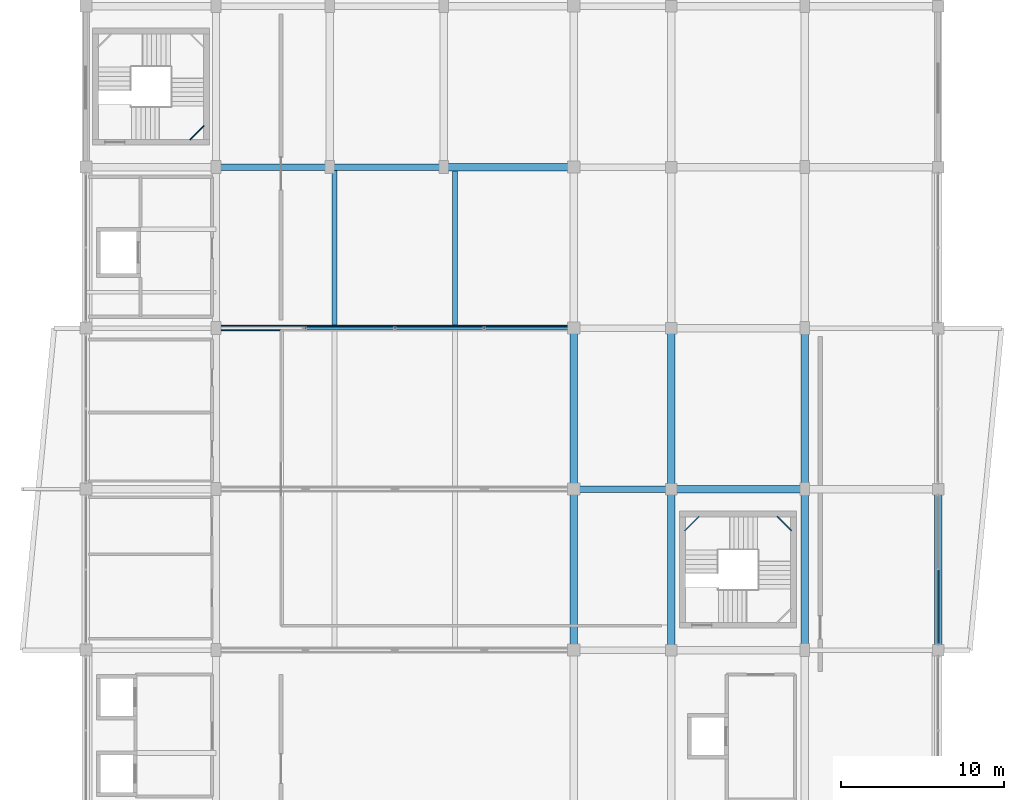
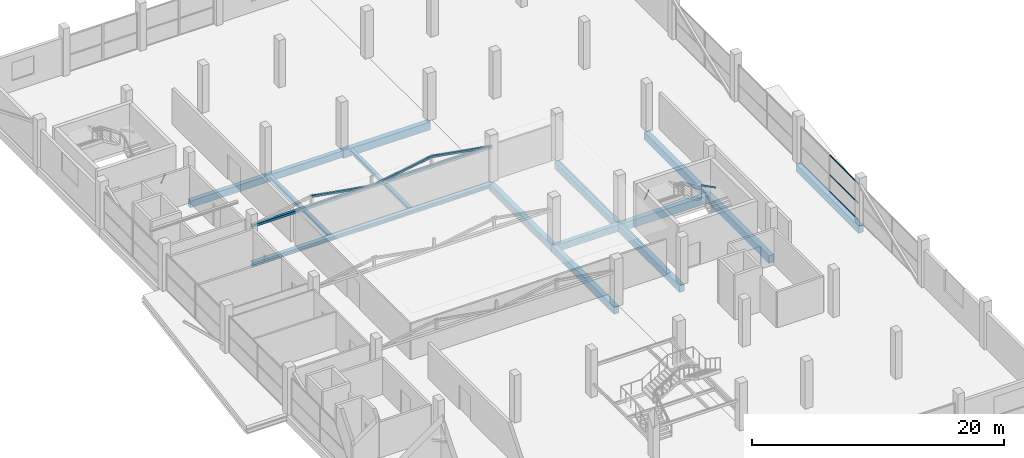
# One storey, part 24 of 58: 18 beams, 7 members, 1 element without a shape of its own.
"""IFC4 building model written with IfcOpenShell, lengths in metres."""

from ifc_helpers import new_model, si_unit, direction, frame, origin, origin_2d, place, context, subcontext, project, spatial, rectangle, hollow_rectangle, i_section, extrude, material, layer, layer_set, material_profile, profile_set, type_object, element, aggregate, save


model = new_model("IFC4")

# Units and contexts
model_context = context("Model", 3, precision=1e-05, world=origin(), true_north=direction((0.0, 1.0)))
body_context = subcontext(model_context, "Body", "Model", "MODEL_VIEW")
ifc_project = project(units=[si_unit("LENGTHUNIT", "METRE"), si_unit("AREAUNIT", "SQUARE_METRE"), si_unit("VOLUMEUNIT", "CUBIC_METRE"), si_unit("PLANEANGLEUNIT", "RADIAN"), si_unit("MASSUNIT", "GRAM", prefix="KILO")], contexts=[model_context])

# Site, building, storey
site_placement = place(None, origin())
site = spatial("IfcSite", under=ifc_project, at=site_placement, CompositionType="ELEMENT")
building_placement = place(site_placement, origin())
building = spatial("IfcBuilding", under=site, at=building_placement, Name="Sillaruma Civic Art Gallery", CompositionType="ELEMENT")
storey_placement = place(building_placement, frame((0.0, 0.0, 28.56005859375)))
storey = spatial("IfcBuildingStorey", under=building, at=storey_placement, Name="L05", CompositionType="ELEMENT", Elevation=28.56005859375)

# Beams
ifc_material_1 = material(Name="Concrete H35 (35 MPa)", Category="concrete")
ifc_material_profile_1 = material_profile(ifc_material_1, rectangle(XDim=0.39990234375, YDim=0.64990234375, at=origin_2d()), Name="RCB400x650")
ifc_profile_set_1 = profile_set([ifc_material_profile_1], Name="Concrete H35 (35 MPa)")
beam_type_1 = type_object("IfcBeamType", Name="BM-BEAM-RCB400x650", PredefinedType="BEAM", material=ifc_profile_set_1)
beam_1_placement = place(storey_placement, frame((92.0, 59.39990234375, -0.60498046875), z_axis=(1.0, 0.0, 0.0), x_axis=(0.0, 1.0, 0.0)))
element("IfcBeam", 1, at=beam_1_placement, inside=storey, type_object=beam_type_1, Name="Beam BM-05 (L04:7:K-L)", PredefinedType="BEAM", context=body_context, shape_type="SweptSolid", body=[
    extrude(rectangle(XDim=0.39990234375, YDim=0.64990234375, at=origin_2d()), origin(), (0.0, 0.0, 1.0), 6.0),
])
for number, where, z_axis, x_axis, name in (
    (2, (70.0, 79.199951171875, -0.60498046875), (1.0, 0.0, 0.0), (0.0, 1.0, 0.0), "Beam BM-05 (L04:9:G-H)"),
    (3, (77.0, 79.199951171875, -0.60498046875), (1.0, 0.0, 0.0), (0.0, 1.0, 0.0), "Beam BM-05 (L04:9:H-J)"),
):
    element("IfcBeam", number, at=place(storey_placement, frame(where, z_axis=z_axis, x_axis=x_axis)), inside=storey, type_object=beam_type_1, Name=name, PredefinedType="BEAM", context=body_context, shape_type="SweptSolid", body=[
        extrude(rectangle(XDim=0.39990234375, YDim=0.64990234375, at=origin_2d()), origin(), (0.0, 0.0, 1.0), 7.0),
    ])
ifc_material_2 = material(Name="Concrete H40 (40 MPa)", Category="concrete")
ifc_material_profile_2 = material_profile(ifc_material_2, rectangle(XDim=0.449951171875, YDim=0.75, at=origin_2d()), Name="RCB450x750")
ifc_profile_set_2 = profile_set([ifc_material_profile_2], Name="Concrete H40 (40 MPa)")
beam_type_2 = type_object("IfcBeamType", Name="BM-BEAM-RCB450x750", PredefinedType="BEAM", material=ifc_profile_set_2)
beam_2_placement = place(storey_placement, frame((98.0, 59.39990234375, -0.655029296875), z_axis=(1.0, 0.0, 0.0), x_axis=(0.0, 1.0, 0.0)))
element("IfcBeam", 4, at=beam_2_placement, inside=storey, type_object=beam_type_2, Name="Beam BM-03 (L04:7:L-M)", PredefinedType="BEAM", context=body_context, shape_type="SweptSolid", body=[
    extrude(rectangle(XDim=0.449951171875, YDim=0.75, at=origin_2d()), origin(), (0.0, 0.0, 1.0), 8.199951171875),
])
beam_3_placement = place(storey_placement, frame((84.0, 79.199951171875, -0.655029296875), z_axis=(1.0, 0.0, 0.0), x_axis=(0.0, 1.0, 0.0)))
element("IfcBeam", 5, at=beam_3_placement, inside=storey, type_object=beam_type_2, Name="Beam BM-03 (L04:9:J-K)", PredefinedType="BEAM", context=body_context, shape_type="SweptSolid", body=[
    extrude(rectangle(XDim=0.449951171875, YDim=0.75, at=origin_2d()), origin(), (0.0, 0.0, 1.0), 8.0),
])
beam_4_placement = place(storey_placement, frame((106.199951171875, 49.5, -0.655029296875), z_axis=(0.0, 1.0, 0.0), x_axis=(-1.0, 0.0, 0.0)))
element("IfcBeam", 6, at=beam_4_placement, inside=storey, type_object=beam_type_2, Name="Beam BM-03 (L04:M:6-7)", PredefinedType="BEAM", context=body_context, shape_type="SweptSolid", body=[
    extrude(rectangle(XDim=0.449951171875, YDim=0.75, at=origin_2d()), origin(), (0.0, 0.0, 1.0), 9.89990234375),
])
beam_5_placement = place(storey_placement, frame((106.199951171875, 59.39990234375, -0.655029296875), z_axis=(0.0, 1.0, 0.0), x_axis=(-1.0, 0.0, 0.0)))
element("IfcBeam", 7, at=beam_5_placement, inside=storey, type_object=beam_type_2, Name="Beam BM-03 (L04:M:7-8)", PredefinedType="BEAM", context=body_context, shape_type="SweptSolid", body=[
    extrude(rectangle(XDim=0.449951171875, YDim=0.75, at=origin_2d()), origin(), (0.0, 0.0, 1.0), 9.900146484375),
])
ifc_material_3 = material(Name="Structural Steel ASTM A992 Gr.50", Category="steel")
ifc_material_profile_3 = material_profile(ifc_material_3, i_section(OverallWidth=0.305908203125, OverallDepth=0.31103515625, WebThickness=0.010986328125, FlangeThickness=0.01708984375, FilletRadius=0.014892578125, at=origin_2d()), Name="W310x107")
ifc_profile_set_3 = profile_set([ifc_material_profile_3], Name="Structural Steel ASTM A992 Gr.50")
beam_type_3 = type_object("IfcBeamType", Name="BM-JOIST-W310x107", PredefinedType="JOIST", material=ifc_profile_set_3)
beam_6_placement = place(storey_placement, frame((77.300048828125, 69.487060546875, -0.435546875), z_axis=(0.0, 1.0, 0.0), x_axis=(-1.0, 0.0, 0.0)))
element("IfcBeam", 8, at=beam_6_placement, inside=storey, type_object=beam_type_3, Name="Long-Span Gallery Joist JS-03 (L04:8-9)", PredefinedType="JOIST", context=body_context, shape_type="SweptSolid", body=[
    extrude(i_section(OverallWidth=0.305908203125, OverallDepth=0.31103515625, WebThickness=0.010986328125, FlangeThickness=0.01708984375, FilletRadius=0.014892578125, at=origin_2d()), origin(), (0.0, 0.0, 1.0), 9.512939453125),
])
beam_7_placement = place(storey_placement, frame((84.699951171875, 69.487060546875, -0.435546875), z_axis=(0.0, 1.0, 0.0), x_axis=(-1.0, 0.0, 0.0)))
element("IfcBeam", 9, at=beam_7_placement, inside=storey, type_object=beam_type_3, Name="Long-Span Gallery Joist JS-03 (L04:8-9)", PredefinedType="JOIST", context=body_context, shape_type="SweptSolid", body=[
    extrude(i_section(OverallWidth=0.305908203125, OverallDepth=0.31103515625, WebThickness=0.010986328125, FlangeThickness=0.01708984375, FilletRadius=0.014892578125, at=origin_2d()), origin(), (0.0, 0.0, 1.0), 9.488037109375),
])
ifc_material_4 = material(Name="Structural Steel ASTM A500 Gr.C", Category="steel")
ifc_material_profile_4 = material_profile(ifc_material_4, hollow_rectangle(XDim=0.080078125, YDim=0.159912109375, WallThickness=0.008056640625, InnerFilletRadius=0.008056640625, OuterFilletRadius=0.01611328125, at=origin_2d()), Name="HSS160x80x8")
ifc_profile_set_4 = profile_set([ifc_material_profile_4], Name="Structural Steel ASTM A500 Gr.C")
beam_type_4 = type_object("IfcBeamType", Name="BM-LND-HSS160", PredefinedType="BEAM", material=ifc_profile_set_4)
beam_8_placement = place(storey_placement, frame((68.389892578125, 80.8701171875, 0.909912109375), z_axis=(0.707203758046, 0.707009791025, 0.0), x_axis=(-0.707009791025, 0.707203758046, 0.0)))
element("IfcBeam", 10, at=beam_8_placement, inside=storey, type_object=beam_type_4, Name="Stair Corner Landing Trimmer Beam (ST-02-L05-1)", PredefinedType="BEAM", context=body_context, shape_type="SweptSolid", body=[
    extrude(hollow_rectangle(XDim=0.080078125, YDim=0.159912109375, WallThickness=0.008056640625, InnerFilletRadius=0.008056640625, OuterFilletRadius=0.01611328125, at=origin_2d()), origin(), (0.0, 0.0, 1.0), 1.2587890625),
])
for number, where, z_axis, x_axis, name in (
    (11, (104.489990234375, 57.72998046875, 2.099853515625), (0.707106781187, -0.707106781187, 0.0), (0.707106781187, 0.707106781187, 0.0), "Stair Corner Landing Trimmer Beam (ST-04-L05-2)"),
    (12, (98.820068359375, 56.840087890625, 3.2900390625), (0.707106781187, 0.707106781187, 0.0), (-0.707106781187, 0.707106781187, 0.0), "Stair Corner Landing Trimmer Beam (ST-04-L05-3)"),
):
    element("IfcBeam", number, at=place(storey_placement, frame(where, z_axis=z_axis, x_axis=x_axis)), inside=storey, type_object=beam_type_4, Name=name, PredefinedType="BEAM", context=body_context, shape_type="SweptSolid", body=[
        extrude(hollow_rectangle(XDim=0.080078125, YDim=0.159912109375, WallThickness=0.008056640625, InnerFilletRadius=0.008056640625, OuterFilletRadius=0.01611328125, at=origin_2d()), origin(), (0.0, 0.0, 1.0), 1.258544921875),
    ])
ifc_material_profile_5 = material_profile(ifc_material_1, rectangle(XDim=0.449951171875, YDim=0.699951171875, at=origin_2d()), Name="RCB450x700")
ifc_profile_set_5 = profile_set([ifc_material_profile_5], Name="Concrete H35 (35 MPa)")
beam_type_5 = type_object("IfcBeamType", Name="BM-SPANDREL-RCB450x700", PredefinedType="SPANDREL", material=ifc_profile_set_5)
beam_9_placement = place(storey_placement, frame((92.0, 49.5, -0.630126953125), z_axis=(0.0, 1.0, 0.0), x_axis=(-1.0, 0.0, 0.0)))
element("IfcBeam", 13, at=beam_9_placement, inside=storey, type_object=beam_type_5, Name="Beam BS-03 (L04:K:6-7)", PredefinedType="SPANDREL", context=body_context, shape_type="SweptSolid", body=[
    extrude(rectangle(XDim=0.449951171875, YDim=0.699951171875, at=origin_2d()), origin(), (0.0, 0.0, 1.0), 9.89990234375),
])
beam_10_placement = place(storey_placement, frame((92.0, 59.39990234375, -0.630126953125), z_axis=(0.0, 1.0, 0.0), x_axis=(-1.0, 0.0, 0.0)))
element("IfcBeam", 14, at=beam_10_placement, inside=storey, type_object=beam_type_5, Name="Beam BS-03 (L04:K:7-8)", PredefinedType="SPANDREL", context=body_context, shape_type="SweptSolid", body=[
    extrude(rectangle(XDim=0.449951171875, YDim=0.699951171875, at=origin_2d()), origin(), (0.0, 0.0, 1.0), 9.900146484375),
])
beam_11_placement = place(storey_placement, frame((98.0, 49.5, -0.630126953125), z_axis=(0.0, 1.0, 0.0), x_axis=(-1.0, 0.0, 0.0)))
element("IfcBeam", 15, at=beam_11_placement, inside=storey, type_object=beam_type_5, Name="Beam BS-03 (L04:L:6-7)", PredefinedType="SPANDREL", context=body_context, shape_type="SweptSolid", body=[
    extrude(rectangle(XDim=0.449951171875, YDim=0.699951171875, at=origin_2d()), origin(), (0.0, 0.0, 1.0), 9.89990234375),
])
beam_12_placement = place(storey_placement, frame((98.0, 59.39990234375, -0.630126953125), z_axis=(0.0, 1.0, 0.0), x_axis=(-1.0, 0.0, 0.0)))
element("IfcBeam", 16, at=beam_12_placement, inside=storey, type_object=beam_type_5, Name="Beam BS-03 (L04:L:7-8)", PredefinedType="SPANDREL", context=body_context, shape_type="SweptSolid", body=[
    extrude(rectangle(XDim=0.449951171875, YDim=0.699951171875, at=origin_2d()), origin(), (0.0, 0.0, 1.0), 9.900146484375),
])
beam_13_placement = place(storey_placement, frame((114.39990234375, 49.5, -0.630126953125), z_axis=(0.0, 1.0, 0.0), x_axis=(-1.0, 0.0, 0.0)))
element("IfcBeam", 17, at=beam_13_placement, inside=storey, type_object=beam_type_5, Name="Beam BS-03 (L04:N:6-7)", PredefinedType="SPANDREL", context=body_context, shape_type="SweptSolid", body=[
    extrude(rectangle(XDim=0.449951171875, YDim=0.699951171875, at=origin_2d()), origin(), (0.0, 0.0, 1.0), 9.89990234375),
])
ifc_material_profile_6 = material_profile(ifc_material_3, i_section(OverallWidth=0.3740234375, OverallDepth=0.3720703125, WebThickness=0.016357421875, FlangeThickness=0.026123046875, FilletRadius=0.014892578125, at=origin_2d()), Name="W360x196")
ifc_profile_set_6 = profile_set([ifc_material_profile_6], Name="Structural Steel ASTM A992 Gr.50")
beam_type_6 = type_object("IfcBeamType", Name="BM-TRTOP-W360x196", PredefinedType="BEAM", material=ifc_profile_set_6)
beam_14_placement = place(storey_placement, frame((70.0, 69.300048828125, -0.466064453125), z_axis=(1.0, 0.0, 0.0), x_axis=(0.0, 1.0, 0.0)))
element("IfcBeam", 18, at=beam_14_placement, inside=storey, type_object=beam_type_6, Name="Warren Truss Top Chord TR-L04-3", PredefinedType="BEAM", context=body_context, shape_type="SweptSolid", body=[
    extrude(i_section(OverallWidth=0.3740234375, OverallDepth=0.3720703125, WebThickness=0.016357421875, FlangeThickness=0.026123046875, FilletRadius=0.014892578125, at=origin_2d()), origin(), (0.0, 0.0, 1.0), 22.0),
])

# Members
ifc_material_profile_7 = material_profile(ifc_material_4, hollow_rectangle(XDim=0.179931640625, YDim=0.179931640625, WallThickness=0.010009765625, InnerFilletRadius=0.010009765625, OuterFilletRadius=0.02001953125, at=origin_2d()), Name="HSS180x180x10")
ifc_profile_set_7 = profile_set([ifc_material_profile_7], Name="Structural Steel ASTM A500 Gr.C")
member_type_1 = type_object("IfcMemberType", Name="MEM-BRACE-HSS180x180x10", PredefinedType="BRACE", material=ifc_profile_set_7)
for number, where, z_axis, x_axis, name in (
    (19, (75.5, 69.300048828125, 4.16796875), (0.985614551455, 0.0, -0.169008745218), (0.0, 1.0, 0.0), "Warren Truss Diagonal TR-L05-3-D2"),
    (20, (81.0, 69.300048828125, 3.224853515625), (0.985614551455, 0.0, 0.169008745218), (0.0, 1.0, 0.0), "Warren Truss Diagonal TR-L05-3-D3"),
    (21, (86.5, 69.300048828125, 4.16796875), (0.985614551455, 0.0, -0.169008745218), (0.0, 1.0, 0.0), "Warren Truss Diagonal TR-L05-3-D4"),
):
    element("IfcMember", number, at=place(storey_placement, frame(where, z_axis=z_axis, x_axis=x_axis)), inside=storey, type_object=member_type_1, Name=name, PredefinedType="BRACE", context=body_context, shape_type="SweptSolid", body=[
        extrude(hollow_rectangle(XDim=0.179931640625, YDim=0.179931640625, WallThickness=0.010009765625, InnerFilletRadius=0.010009765625, OuterFilletRadius=0.02001953125, at=origin_2d()), origin(), (0.0, 0.0, 1.0), 5.580322265625),
    ])
ifc_material_profile_8 = material_profile(ifc_material_4, hollow_rectangle(XDim=0.25, YDim=0.25, WallThickness=0.012451171875, InnerFilletRadius=0.012451171875, OuterFilletRadius=0.02490234375, at=origin_2d()), Name="HSS250x250x12.5")
ifc_profile_set_8 = profile_set([ifc_material_profile_8], Name="Structural Steel ASTM A500 Gr.C")
member_type_2 = type_object("IfcMemberType", Name="MEM-CHORD-HSS250x250x12.5", PredefinedType="CHORD", material=ifc_profile_set_8)
member_1_placement = place(storey_placement, frame((70.0, 69.300048828125, 3.224853515625), z_axis=(1.0, 0.0, 0.0), x_axis=(0.0, 1.0, 0.0)))
element("IfcMember", 22, at=member_1_placement, inside=storey, type_object=member_type_2, Name="Warren Truss Bottom Chord TR-L05-3", PredefinedType="CHORD", context=body_context, shape_type="SweptSolid", body=[
    extrude(hollow_rectangle(XDim=0.25, YDim=0.25, WallThickness=0.012451171875, InnerFilletRadius=0.012451171875, OuterFilletRadius=0.02490234375, at=origin_2d()), origin(), (0.0, 0.0, 1.0), 22.0),
])

# Curtain wall, members
ifc_material_5 = material(Name="Thermally Broken Extruded Aluminium 6063-T6", Category="aluminium")
ifc_layer = layer(ifc_material_5, 0.139892578125, Name="Thermally Broken Extruded Aluminium 6063-T6")
ifc_layer_set = layer_set([ifc_layer], Name="Thermally Broken Extruded Aluminium 6063-T6")
curtain_wall_type = type_object("IfcCurtainWallType", Name="CW-UNI-32", PredefinedType="NOTDEFINED", material=ifc_layer_set)
curtain_wall_placement = place(storey_placement, origin())
curtain_wall = element("IfcCurtainWall", 23, at=curtain_wall_placement, inside=storey, type_object=curtain_wall_type, Name="Unitised Curtain Wall CW-32 (CW-L05-E-4)", PredefinedType="NOTDEFINED")
ifc_material_profile_9 = material_profile(ifc_material_5, hollow_rectangle(XDim=0.06005859375, YDim=0.10009765625, WallThickness=0.003173828125, at=origin_2d()), Name="CWT60x100")
ifc_profile_set_9 = profile_set([ifc_material_profile_9], Name="Thermally Broken Extruded Aluminium 6063-T6")
member_type_3 = type_object("IfcMemberType", Name="MEM-TRN-CWT60x100", PredefinedType="USERDEFINED", material=ifc_profile_set_9)
member_2_placement = place(storey_placement, frame((114.39990234375, 49.909912109375, 0.030029296875), z_axis=(0.0, 1.0, 0.0), x_axis=(-1.0, 0.0, 0.0)))
member_2 = element("IfcMember", 24, at=member_2_placement, type_object=member_type_3, Name="CW-32 transom 1.1", ObjectType="TRANSOM", PredefinedType="USERDEFINED", context=body_context, shape_type="SweptSolid", body=[
    extrude(hollow_rectangle(XDim=0.06005859375, YDim=0.10009765625, WallThickness=0.003173828125, at=origin_2d()), origin(), (0.0, 0.0, 1.0), 4.510009765625),
])
member_3_placement = place(storey_placement, frame((114.39990234375, 49.909912109375, 1.64208984375), z_axis=(0.0, 1.0, 0.0), x_axis=(-1.0, 0.0, 0.0)))
member_3 = element("IfcMember", 25, at=member_3_placement, type_object=member_type_3, Name="CW-32 transom 1.2", ObjectType="TRANSOM", PredefinedType="USERDEFINED", context=body_context, shape_type="SweptSolid", body=[
    extrude(hollow_rectangle(XDim=0.06005859375, YDim=0.10009765625, WallThickness=0.003173828125, at=origin_2d()), origin(), (0.0, 0.0, 1.0), 4.510009765625),
])
member_4_placement = place(storey_placement, frame((114.39990234375, 49.909912109375, 3.5400390625), z_axis=(0.0, 1.0, 0.0), x_axis=(-1.0, 0.0, 0.0)))
member_4 = element("IfcMember", 26, at=member_4_placement, type_object=member_type_3, Name="CW-32 transom 1.3", ObjectType="TRANSOM", PredefinedType="USERDEFINED", context=body_context, shape_type="SweptSolid", body=[
    extrude(hollow_rectangle(XDim=0.06005859375, YDim=0.10009765625, WallThickness=0.003173828125, at=origin_2d()), origin(), (0.0, 0.0, 1.0), 4.510009765625),
])
aggregate(curtain_wall, [member_2, member_3, member_4])

save(model, "model.ifc")
